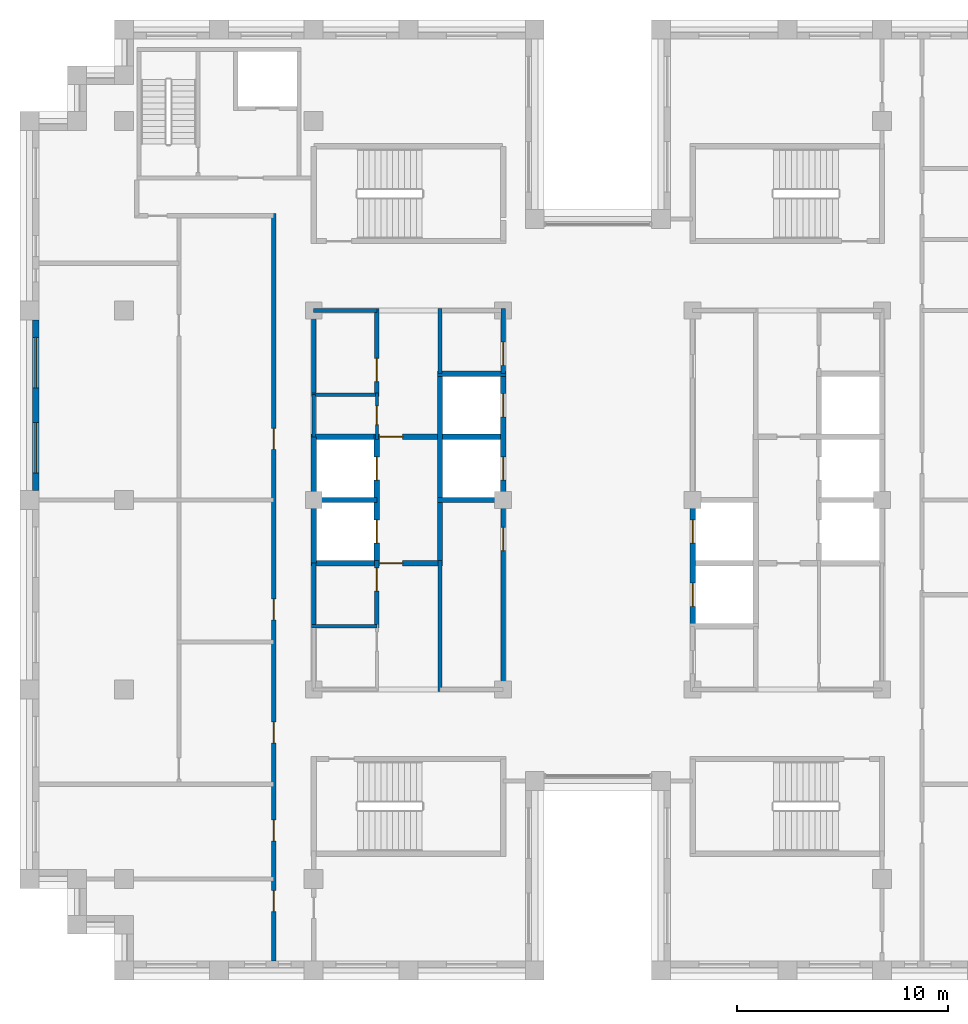
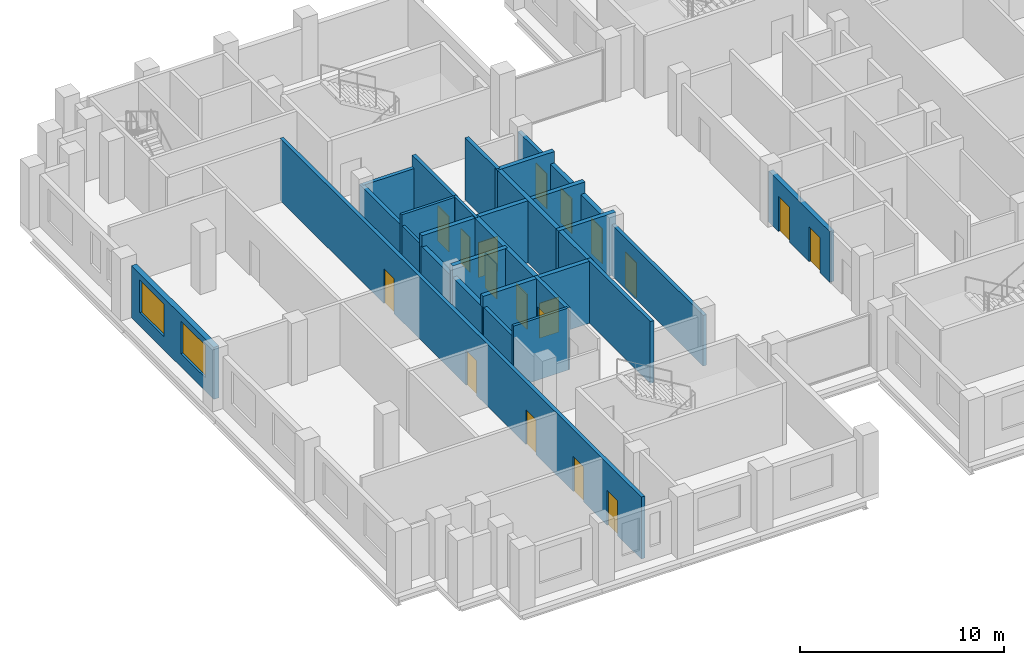
# One storey, part 7 of 13: 25 walls, 18 doors, 2 windows, 20 openings.
"""IFC4 building model written with IfcOpenShell, lengths in metres."""

from ifc_helpers import new_model, si_unit, direction, frame, frame_2d, origin, place, context, subcontext, project, spatial, rectangle, extrude, material, layer, layer_set, type_object, element, fill, save


model = new_model("IFC4")

# Units and contexts
model_context = context("Model", 3, precision=1e-05, world=origin(), true_north=direction((0.0, 1.0)))
body_context = subcontext(model_context, "Body", "Model", "MODEL_VIEW")
ifc_project = project(units=[si_unit("LENGTHUNIT", "METRE"), si_unit("AREAUNIT", "SQUARE_METRE"), si_unit("VOLUMEUNIT", "CUBIC_METRE"), si_unit("PLANEANGLEUNIT", "RADIAN"), si_unit("MASSUNIT", "GRAM", prefix="KILO")], contexts=[model_context])

# Site, building, storey
site_placement = place(None, origin())
site = spatial("IfcSite", under=ifc_project, at=site_placement, CompositionType="ELEMENT")
building_placement = place(site_placement, origin())
building = spatial("IfcBuilding", under=site, at=building_placement, Name="Corbelhall Arena Tower", CompositionType="ELEMENT")
storey_placement = place(building_placement, frame((0.0, 0.0, 262.0)))
storey = spatial("IfcBuildingStorey", under=building, at=storey_placement, Name="L56", CompositionType="ELEMENT", Elevation=262.0)

# Wall, openings, windows
ifc_material_1 = material(Name="Precast concrete C40/50 with granite facing", Category="masonry")
ifc_layer_1 = layer(ifc_material_1, 0.300048828125)
ifc_layer_set_1 = layer_set([ifc_layer_1], Name="EV-IW1 Infill panel 300")
wall_type_1 = type_object("IfcWallType", Name="EV-IW1 Infill panel 300", PredefinedType="SOLIDWALL", material=ifc_layer_set_1)
wall_1_placement = place(storey_placement, frame((-26.699951171875, 8.550048828125, 0.0), z_axis=(0.0, 0.0, 1.0), x_axis=(0.0, -1.0, 0.0)))
wall_1 = element("IfcWall", 1, at=wall_1_placement, inside=storey, type_object=wall_type_1, Name="Infill panel IW1", PredefinedType="SOLIDWALL", context=body_context, shape_type="SweptSolid", body=[
    extrude(rectangle(XDim=8.10009765625, YDim=0.300048828125, at=frame_2d((4.050048828125, 0.0))), origin(), (0.0, 0.0, 1.0), 3.1201171875),
])
opening_1_placement = place(wall_1_placement, frame((0.824951171875, 0.0, 0.800048828125)))
opening_1 = element("IfcOpeningElement", 2, at=opening_1_placement, cuts=wall_1, Name="Opening WN1", PredefinedType="OPENING", context=body_context, shape_type="SweptSolid", body=[
    extrude(rectangle(XDim=2.39990234375, YDim=1.949951171875, at=frame_2d((1.199951171875, 0.97509765625))), frame((0.0, 0.14990234375, 0.0), z_axis=(0.0, -1.0, 0.0), x_axis=(1.0, 0.0, 0.0)), (0.0, 0.0, 1.0), 0.300048828125),
])
opening_2_placement = place(wall_1_placement, frame((4.875, 0.0, 0.800048828125)))
opening_2 = element("IfcOpeningElement", 3, at=opening_2_placement, cuts=wall_1, Name="Opening WN1", PredefinedType="OPENING", context=body_context, shape_type="SweptSolid", body=[
    extrude(rectangle(XDim=2.39990234375, YDim=1.949951171875, at=frame_2d((1.199951171875, 0.97509765625))), frame((0.0, 0.14990234375, 0.0), z_axis=(0.0, -1.0, 0.0), x_axis=(1.0, 0.0, 0.0)), (0.0, 0.0, 1.0), 0.300048828125),
])
ifc_material_2 = material(Name="Aluminium black anodised", Category="aluminium")
window_type = type_object("IfcWindowType", Name="EV-WN1 Office window", PartitioningType="SINGLE_PANEL", PredefinedType="WINDOW", material=ifc_material_2)
window_1_placement = place(opening_1_placement, origin())
window_1 = element("IfcWindow", 4, at=window_1_placement, inside=storey, type_object=window_type, Name="Window WN1", OverallHeight=1.949951171875, OverallWidth=2.39990234375, PartitioningType="SINGLE_PANEL", PredefinedType="WINDOW", context=body_context, shape_type="SweptSolid", body=[
    extrude(rectangle(XDim=2.39990234375, YDim=1.949951171875, at=frame_2d((1.199951171875, 0.97509765625))), frame((0.0, 0.030029296875, 0.0), z_axis=(0.0, -1.0, 0.0), x_axis=(1.0, 0.0, 0.0)), (0.0, 0.0, 1.0), 0.06005859375),
])
fill(opening_1, window_1)
window_2_placement = place(opening_2_placement, origin())
window_2 = element("IfcWindow", 5, at=window_2_placement, inside=storey, type_object=window_type, Name="Window WN1", OverallHeight=1.949951171875, OverallWidth=2.39990234375, PartitioningType="SINGLE_PANEL", PredefinedType="WINDOW", context=body_context, shape_type="SweptSolid", body=[
    extrude(rectangle(XDim=2.39990234375, YDim=1.949951171875, at=frame_2d((1.199951171875, 0.97509765625))), frame((0.0, 0.030029296875, 0.0), z_axis=(0.0, -1.0, 0.0), x_axis=(1.0, 0.0, 0.0)), (0.0, 0.0, 1.0), 0.06005859375),
])
fill(opening_2, window_2)

# Wall, openings, doors
ifc_material_3 = material(Name="Gypsum board on steel stud, acoustic", Category="steel")
ifc_layer_2 = layer(ifc_material_3, 0.199951171875)
ifc_layer_set_2 = layer_set([ifc_layer_2], Name="IN-W-DM200")
wall_type_2 = type_object("IfcWallType", Name="IN-W-DM200", PredefinedType="PARTITIONING", material=ifc_layer_set_2)
wall_2_placement = place(storey_placement, frame((-15.39990234375, -21.89990234375, 0.0), z_axis=(0.0, 0.0, 1.0), x_axis=(0.0, 1.0, 0.0)))
wall_2 = element("IfcWall", 6, at=wall_2_placement, inside=storey, type_object=wall_type_2, Name="Partition 009", PredefinedType="PARTITIONING", context=body_context, shape_type="SweptSolid", body=[
    extrude(rectangle(XDim=35.5, YDim=0.199951171875, at=frame_2d((17.75, 0.0))), origin(), (0.0, 0.0, 1.0), 3.719970703125),
])
opening_3_placement = place(wall_2_placement, frame((24.300048828125, 0.0, 0.0)))
opening_3 = element("IfcOpeningElement", 7, at=opening_3_placement, cuts=wall_2, Name="Opening 17022", PredefinedType="OPENING", context=body_context, shape_type="SweptSolid", body=[
    extrude(rectangle(XDim=1.0, YDim=2.10009765625, at=frame_2d((0.5, 1.050048828125))), frame((0.0, 0.10009765625, 0.0), z_axis=(0.0, -1.0, 0.0), x_axis=(1.0, 0.0, 0.0)), (0.0, 0.0, 1.0), 0.199951171875),
])
opening_4_placement = place(wall_2_placement, frame((2.35009765625, 0.0, 0.0)))
opening_4 = element("IfcOpeningElement", 8, at=opening_4_placement, cuts=wall_2, Name="Opening 17024", PredefinedType="OPENING", context=body_context, shape_type="SweptSolid", body=[
    extrude(rectangle(XDim=1.0, YDim=2.10009765625, at=frame_2d((0.5, 1.050048828125))), frame((0.0, 0.10009765625, 0.0), z_axis=(0.0, -1.0, 0.0), x_axis=(1.0, 0.0, 0.0)), (0.0, 0.0, 1.0), 0.199951171875),
])
opening_5_placement = place(wall_2_placement, frame((5.699951171875, 0.0, 0.0)))
opening_5 = element("IfcOpeningElement", 9, at=opening_5_placement, cuts=wall_2, Name="Opening 17025", PredefinedType="OPENING", context=body_context, shape_type="SweptSolid", body=[
    extrude(rectangle(XDim=1.0, YDim=2.10009765625, at=frame_2d((0.5, 1.050048828125))), frame((0.0, 0.10009765625, 0.0), z_axis=(0.0, -1.0, 0.0), x_axis=(1.0, 0.0, 0.0)), (0.0, 0.0, 1.0), 0.199951171875),
])
opening_6_placement = place(wall_2_placement, frame((10.35009765625, 0.0, 0.0)))
opening_6 = element("IfcOpeningElement", 10, at=opening_6_placement, cuts=wall_2, Name="Opening 17026", PredefinedType="OPENING", context=body_context, shape_type="SweptSolid", body=[
    extrude(rectangle(XDim=1.0, YDim=2.10009765625, at=frame_2d((0.5, 1.050048828125))), frame((0.0, 0.10009765625, 0.0), z_axis=(0.0, -1.0, 0.0), x_axis=(1.0, 0.0, 0.0)), (0.0, 0.0, 1.0), 0.199951171875),
])
opening_7_placement = place(wall_2_placement, frame((16.199951171875, 0.0, 0.0)))
opening_7 = element("IfcOpeningElement", 11, at=opening_7_placement, cuts=wall_2, Name="Opening 17027", PredefinedType="OPENING", context=body_context, shape_type="SweptSolid", body=[
    extrude(rectangle(XDim=1.0, YDim=2.10009765625, at=frame_2d((0.5, 1.050048828125))), frame((0.0, 0.10009765625, 0.0), z_axis=(0.0, -1.0, 0.0), x_axis=(1.0, 0.0, 0.0)), (0.0, 0.0, 1.0), 0.199951171875),
])
ifc_material_4 = material(Name="Steel door set", Category="steel")
door_type_1 = type_object("IfcDoorType", Name="IN-D-SW100", OperationType="NOTDEFINED", PredefinedType="DOOR", material=ifc_material_4)
door_1_placement = place(opening_3_placement, origin())
door_1 = element("IfcDoor", 12, at=door_1_placement, inside=storey, type_object=door_type_1, Name="Door 022", OperationType="SINGLE_SWING_LEFT", OverallHeight=2.10009765625, OverallWidth=1.0, PredefinedType="DOOR", context=body_context, shape_type="SweptSolid", body=[
    extrude(rectangle(XDim=1.0, YDim=2.10009765625, at=frame_2d((0.5, 1.050048828125))), frame((0.0, 0.02490234375, 0.0), z_axis=(0.0, -1.0, 0.0), x_axis=(1.0, 0.0, 0.0)), (0.0, 0.0, 1.0), 0.050048828125),
])
fill(opening_3, door_1)
door_2_placement = place(opening_4_placement, origin())
door_2 = element("IfcDoor", 13, at=door_2_placement, inside=storey, type_object=door_type_1, Name="Door 024", OperationType="SINGLE_SWING_LEFT", OverallHeight=2.10009765625, OverallWidth=1.0, PredefinedType="DOOR", context=body_context, shape_type="SweptSolid", body=[
    extrude(rectangle(XDim=1.0, YDim=2.10009765625, at=frame_2d((0.5, 1.050048828125))), frame((0.0, 0.02490234375, 0.0), z_axis=(0.0, -1.0, 0.0), x_axis=(1.0, 0.0, 0.0)), (0.0, 0.0, 1.0), 0.050048828125),
])
fill(opening_4, door_2)
door_3_placement = place(opening_5_placement, origin())
door_3 = element("IfcDoor", 14, at=door_3_placement, inside=storey, type_object=door_type_1, Name="Door 025", OperationType="SINGLE_SWING_RIGHT", OverallHeight=2.10009765625, OverallWidth=1.0, PredefinedType="DOOR", context=body_context, shape_type="SweptSolid", body=[
    extrude(rectangle(XDim=1.0, YDim=2.10009765625, at=frame_2d((0.5, 1.050048828125))), frame((0.0, 0.02490234375, 0.0), z_axis=(0.0, -1.0, 0.0), x_axis=(1.0, 0.0, 0.0)), (0.0, 0.0, 1.0), 0.050048828125),
])
fill(opening_5, door_3)
door_4_placement = place(opening_6_placement, origin())
door_4 = element("IfcDoor", 15, at=door_4_placement, inside=storey, type_object=door_type_1, Name="Door 026", OperationType="SINGLE_SWING_LEFT", OverallHeight=2.10009765625, OverallWidth=1.0, PredefinedType="DOOR", context=body_context, shape_type="SweptSolid", body=[
    extrude(rectangle(XDim=1.0, YDim=2.10009765625, at=frame_2d((0.5, 1.050048828125))), frame((0.0, 0.02490234375, 0.0), z_axis=(0.0, -1.0, 0.0), x_axis=(1.0, 0.0, 0.0)), (0.0, 0.0, 1.0), 0.050048828125),
])
fill(opening_6, door_4)
door_5_placement = place(opening_7_placement, origin())
door_5 = element("IfcDoor", 16, at=door_5_placement, inside=storey, type_object=door_type_1, Name="Door 027", OperationType="SINGLE_SWING_RIGHT", OverallHeight=2.10009765625, OverallWidth=1.0, PredefinedType="DOOR", context=body_context, shape_type="SweptSolid", body=[
    extrude(rectangle(XDim=1.0, YDim=2.10009765625, at=frame_2d((0.5, 1.050048828125))), frame((0.0, 0.02490234375, 0.0), z_axis=(0.0, -1.0, 0.0), x_axis=(1.0, 0.0, 0.0)), (0.0, 0.0, 1.0), 0.050048828125),
])
fill(opening_7, door_5)

# Wall, opening, door
ifc_material_5 = material(Name="Concrete block wall", Category="concrete")
ifc_layer_3 = layer(ifc_material_5, 0.199951171875)
ifc_layer_set_3 = layer_set([ifc_layer_3], Name="IN-W-RS200")
wall_type_3 = type_object("IfcWallType", Name="IN-W-RS200", PredefinedType="SOLIDWALL", material=ifc_layer_set_3)
wall_3_placement = place(storey_placement, frame((-10.5, -6.074951171875, 0.0), z_axis=(0.0, 0.0, 1.0), x_axis=(0.0, 1.0, 0.0)))
wall_3 = element("IfcWall", 17, at=wall_3_placement, inside=storey, type_object=wall_type_3, Name="Partition 028", PredefinedType="SOLIDWALL", context=body_context, shape_type="SweptSolid", body=[
    extrude(rectangle(XDim=3.199951171875, YDim=0.199951171875, at=frame_2d((1.60009765625, 0.0))), origin(), (0.0, 0.0, 1.0), 3.719970703125),
])
opening_8_placement = place(wall_3_placement, frame((1.75, 0.0, 0.0)))
opening_8 = element("IfcOpeningElement", 18, at=opening_8_placement, cuts=wall_3, Name="Opening 17006", PredefinedType="OPENING", context=body_context, shape_type="SweptSolid", body=[
    extrude(rectangle(XDim=1.10009765625, YDim=2.10009765625, at=frame_2d((0.550048828125, 1.050048828125))), frame((0.0, 0.10009765625, 0.0), z_axis=(0.0, -1.0, 0.0), x_axis=(1.0, 0.0, 0.0)), (0.0, 0.0, 1.0), 0.199951171875),
])
door_type_2 = type_object("IfcDoorType", Name="IN-D-FD110", OperationType="NOTDEFINED", PredefinedType="DOOR", material=ifc_material_4)
door_6_placement = place(opening_8_placement, origin())
door_6 = element("IfcDoor", 19, at=door_6_placement, inside=storey, type_object=door_type_2, Name="Door 006", OperationType="SINGLE_SWING_LEFT", OverallHeight=2.10009765625, OverallWidth=1.10009765625, PredefinedType="DOOR", context=body_context, shape_type="SweptSolid", body=[
    extrude(rectangle(XDim=1.10009765625, YDim=2.10009765625, at=frame_2d((0.550048828125, 1.050048828125))), frame((0.0, 0.02490234375, 0.0), z_axis=(0.0, -1.0, 0.0), x_axis=(1.0, 0.0, 0.0)), (0.0, 0.0, 1.0), 0.050048828125),
])
fill(opening_8, door_6)

wall_4_placement = place(storey_placement, frame((-10.5, 4.925048828125, 0.0), z_axis=(0.0, 0.0, 1.0), x_axis=(0.0, 1.0, 0.0)))
wall_4 = element("IfcWall", 20, at=wall_4_placement, inside=storey, type_object=wall_type_3, Name="Partition 029", PredefinedType="SOLIDWALL", context=body_context, shape_type="SweptSolid", body=[
    extrude(rectangle(XDim=4.175048828125, YDim=0.199951171875, at=frame_2d((2.08740234375, 0.0))), origin(), (0.0, 0.0, 1.0), 3.719970703125),
])
opening_9_placement = place(wall_4_placement, frame((0.699951171875, 0.0, 0.0)))
opening_9 = element("IfcOpeningElement", 21, at=opening_9_placement, cuts=wall_4, Name="Opening 17008", PredefinedType="OPENING", context=body_context, shape_type="SweptSolid", body=[
    extrude(rectangle(XDim=1.10009765625, YDim=2.10009765625, at=frame_2d((0.550048828125, 1.050048828125))), frame((0.0, 0.10009765625, 0.0), z_axis=(0.0, -1.0, 0.0), x_axis=(1.0, 0.0, 0.0)), (0.0, 0.0, 1.0), 0.199951171875),
])
door_7_placement = place(opening_9_placement, origin())
door_7 = element("IfcDoor", 22, at=door_7_placement, inside=storey, type_object=door_type_2, Name="Door 008", OperationType="SINGLE_SWING_LEFT", OverallHeight=2.10009765625, OverallWidth=1.10009765625, PredefinedType="DOOR", context=body_context, shape_type="SweptSolid", body=[
    extrude(rectangle(XDim=1.10009765625, YDim=2.10009765625, at=frame_2d((0.550048828125, 1.050048828125))), frame((0.0, 0.02490234375, 0.0), z_axis=(0.0, -1.0, 0.0), x_axis=(1.0, 0.0, 0.0)), (0.0, 0.0, 1.0), 0.050048828125),
])
fill(opening_9, door_7)

# Walls
wall_5_placement = place(storey_placement, frame((-7.5, -9.10009765625, 0.0), z_axis=(0.0, 0.0, 1.0), x_axis=(0.0, 1.0, 0.0)))
element("IfcWall", 23, at=wall_5_placement, inside=storey, type_object=wall_type_3, Name="Partition 030", PredefinedType="SOLIDWALL", context=body_context, shape_type="SweptSolid", body=[
    extrude(rectangle(XDim=6.22509765625, YDim=0.199951171875, at=frame_2d((3.112548828125, 0.0))), origin(), (0.0, 0.0, 1.0), 3.719970703125),
])
wall_6_placement = place(storey_placement, frame((-7.5, 6.0, 0.0), z_axis=(0.0, 0.0, 1.0), x_axis=(0.0, 1.0, 0.0)))
element("IfcWall", 24, at=wall_6_placement, inside=storey, type_object=wall_type_3, Name="Partition 031", PredefinedType="SOLIDWALL", context=body_context, shape_type="SweptSolid", body=[
    extrude(rectangle(XDim=3.10009765625, YDim=0.199951171875, at=frame_2d((1.550048828125, 0.0))), origin(), (0.0, 0.0, 1.0), 3.719970703125),
])
ifc_layer_4 = layer(ifc_material_5, 0.199951171875)
ifc_layer_set_4 = layer_set([ifc_layer_4], Name="IN-W-RS200 under beam 678 mm")
wall_type_4 = type_object("IfcWallType", Name="IN-W-RS200 under beam 678 mm", PredefinedType="SOLIDWALL", material=ifc_layer_set_4)
wall_7_placement = place(storey_placement, frame((-13.5, -6.0, 0.0), z_axis=(0.0, 0.0, 1.0), x_axis=(0.0, 1.0, 0.0)))
element("IfcWall", 25, at=wall_7_placement, inside=storey, type_object=wall_type_4, Name="Partition 025", PredefinedType="SOLIDWALL", context=body_context, shape_type="SweptSolid", body=[
    extrude(rectangle(XDim=3.0, YDim=0.199951171875, at=frame_2d((1.5, 0.0))), origin(), (0.0, 0.0, 1.0), 3.041748046875),
])
wall_8_placement = place(storey_placement, frame((-13.5, 5.0, 0.0), z_axis=(0.0, 0.0, 1.0), x_axis=(0.0, 1.0, 0.0)))
element("IfcWall", 26, at=wall_8_placement, inside=storey, type_object=wall_type_4, Name="Partition 026", PredefinedType="SOLIDWALL", context=body_context, shape_type="SweptSolid", body=[
    extrude(rectangle(XDim=4.10009765625, YDim=0.199951171875, at=frame_2d((2.050048828125, 0.0))), origin(), (0.0, 0.0, 1.0), 3.041748046875),
])
wall_9_placement = place(storey_placement, frame((-13.5, 9.0, 0.0), z_axis=(0.0, 0.0, 1.0), x_axis=(1.0, 0.0, 0.0)))
element("IfcWall", 27, at=wall_9_placement, inside=storey, type_object=wall_type_4, Name="Partition 027", PredefinedType="SOLIDWALL", context=body_context, shape_type="SweptSolid", body=[
    extrude(rectangle(XDim=3.0, YDim=0.199951171875, at=frame_2d((1.5, 0.0))), origin(), (0.0, 0.0, 1.0), 3.041748046875),
])

# Wall, opening, door
wall_10_placement = place(storey_placement, frame((-4.5, 0.0, 0.0), z_axis=(0.0, 0.0, 1.0), x_axis=(0.0, -1.0, 0.0)))
wall_10 = element("IfcWall", 28, at=wall_10_placement, inside=storey, type_object=wall_type_4, Name="Partition 034", PredefinedType="SOLIDWALL", context=body_context, shape_type="SweptSolid", body=[
    extrude(rectangle(XDim=9.10009765625, YDim=0.199951171875, at=frame_2d((4.550048828125, 0.0))), origin(), (0.0, 0.0, 1.0), 3.041748046875),
])
opening_10_placement = place(wall_10_placement, frame((1.300048828125, 0.0, 0.0)))
opening_10 = element("IfcOpeningElement", 29, at=opening_10_placement, cuts=wall_10, Name="Opening 17001", PredefinedType="OPENING", context=body_context, shape_type="SweptSolid", body=[
    extrude(rectangle(XDim=1.10009765625, YDim=2.10009765625, at=frame_2d((0.550048828125, 1.050048828125))), frame((0.0, 0.10009765625, 0.0), z_axis=(0.0, -1.0, 0.0), x_axis=(1.0, 0.0, 0.0)), (0.0, 0.0, 1.0), 0.199951171875),
])
door_8_placement = place(opening_10_placement, origin())
door_8 = element("IfcDoor", 30, at=door_8_placement, inside=storey, type_object=door_type_2, Name="Door 001", OperationType="SINGLE_SWING_RIGHT", OverallHeight=2.10009765625, OverallWidth=1.10009765625, PredefinedType="DOOR", context=body_context, shape_type="SweptSolid", body=[
    extrude(rectangle(XDim=1.10009765625, YDim=2.10009765625, at=frame_2d((0.550048828125, 1.050048828125))), frame((0.0, 0.02490234375, 0.0), z_axis=(0.0, -1.0, 0.0), x_axis=(1.0, 0.0, 0.0)), (0.0, 0.0, 1.0), 0.050048828125),
])
fill(opening_10, door_8)

wall_11_placement = place(storey_placement, frame((-4.5, 9.10009765625, 0.0), z_axis=(0.0, 0.0, 1.0), x_axis=(0.0, -1.0, 0.0)))
wall_11 = element("IfcWall", 31, at=wall_11_placement, inside=storey, type_object=wall_type_4, Name="Partition 035", PredefinedType="SOLIDWALL", context=body_context, shape_type="SweptSolid", body=[
    extrude(rectangle(XDim=3.10009765625, YDim=0.199951171875, at=frame_2d((1.550048828125, 0.0))), origin(), (0.0, 0.0, 1.0), 3.041748046875),
])
opening_11_placement = place(wall_11_placement, frame((1.60009765625, 0.0, 0.0)))
opening_11 = element("IfcOpeningElement", 32, at=opening_11_placement, cuts=wall_11, Name="Opening 17002", PredefinedType="OPENING", context=body_context, shape_type="SweptSolid", body=[
    extrude(rectangle(XDim=1.10009765625, YDim=2.10009765625, at=frame_2d((0.550048828125, 1.050048828125))), frame((0.0, 0.10009765625, 0.0), z_axis=(0.0, -1.0, 0.0), x_axis=(1.0, 0.0, 0.0)), (0.0, 0.0, 1.0), 0.199951171875),
])
door_9_placement = place(opening_11_placement, origin())
door_9 = element("IfcDoor", 33, at=door_9_placement, inside=storey, type_object=door_type_2, Name="Door 002", OperationType="SINGLE_SWING_LEFT", OverallHeight=2.10009765625, OverallWidth=1.10009765625, PredefinedType="DOOR", context=body_context, shape_type="SweptSolid", body=[
    extrude(rectangle(XDim=1.10009765625, YDim=2.10009765625, at=frame_2d((0.550048828125, 1.050048828125))), frame((0.0, 0.02490234375, 0.0), z_axis=(0.0, -1.0, 0.0), x_axis=(1.0, 0.0, 0.0)), (0.0, 0.0, 1.0), 0.050048828125),
])
fill(opening_11, door_9)

# Wall
ifc_material_6 = material(Name="Concrete C40/50", Category="concrete")
ifc_layer_5 = layer(ifc_material_6, 0.25)
ifc_layer_set_5 = layer_set([ifc_layer_5], Name="IN-W-SH250")
wall_type_5 = type_object("IfcWallType", Name="IN-W-SH250", PredefinedType="SOLIDWALL", material=ifc_layer_set_5)
wall_12_placement = place(storey_placement, frame((-13.625, 0.0, 0.0), z_axis=(0.0, 0.0, 1.0), x_axis=(1.0, 0.0, 0.0)))
element("IfcWall", 34, at=wall_12_placement, inside=storey, type_object=wall_type_5, Name="Shaft wall 045", PredefinedType="SOLIDWALL", context=body_context, shape_type="SweptSolid", body=[
    extrude(rectangle(XDim=3.125, YDim=0.25, at=frame_2d((1.5625, 0.0))), origin(), (0.0, 0.0, 1.0), 3.719970703125),
])

# Wall, opening, door
wall_13_placement = place(storey_placement, frame((-13.625, 3.0, 0.0), z_axis=(0.0, 0.0, 1.0), x_axis=(1.0, 0.0, 0.0)))
wall_13 = element("IfcWall", 35, at=wall_13_placement, inside=storey, type_object=wall_type_5, Name="Shaft wall 046", PredefinedType="SOLIDWALL", context=body_context, shape_type="SweptSolid", body=[
    extrude(rectangle(XDim=9.25, YDim=0.25, at=frame_2d((4.625, 0.0))), origin(), (0.0, 0.0, 1.0), 3.719970703125),
])
opening_12_placement = place(wall_13_placement, frame((3.25, 0.0, 0.0)))
opening_12 = element("IfcOpeningElement", 36, at=opening_12_placement, cuts=wall_13, Name="Opening 17004", PredefinedType="OPENING", context=body_context, shape_type="SweptSolid", body=[
    extrude(rectangle(XDim=1.10009765625, YDim=2.10009765625, at=frame_2d((0.550048828125, 1.050048828125))), frame((0.0, 0.125, 0.0), z_axis=(0.0, -1.0, 0.0), x_axis=(1.0, 0.0, 0.0)), (0.0, 0.0, 1.0), 0.25),
])
door_10_placement = place(opening_12_placement, origin())
door_10 = element("IfcDoor", 37, at=door_10_placement, inside=storey, type_object=door_type_2, Name="Door 004", OperationType="SINGLE_SWING_LEFT", OverallHeight=2.10009765625, OverallWidth=1.10009765625, PredefinedType="DOOR", context=body_context, shape_type="SweptSolid", body=[
    extrude(rectangle(XDim=1.10009765625, YDim=2.10009765625, at=frame_2d((0.550048828125, 1.050048828125))), frame((0.0, 0.02490234375, 0.0), z_axis=(0.0, -1.0, 0.0), x_axis=(1.0, 0.0, 0.0)), (0.0, 0.0, 1.0), 0.050048828125),
])
fill(opening_12, door_10)

wall_14_placement = place(storey_placement, frame((-13.625, -3.0, 0.0), z_axis=(0.0, 0.0, 1.0), x_axis=(1.0, 0.0, 0.0)))
wall_14 = element("IfcWall", 38, at=wall_14_placement, inside=storey, type_object=wall_type_5, Name="Shaft wall 048", PredefinedType="SOLIDWALL", context=body_context, shape_type="SweptSolid", body=[
    extrude(rectangle(XDim=6.125, YDim=0.25, at=frame_2d((3.0625, 0.0))), origin(), (0.0, 0.0, 1.0), 3.719970703125),
])
opening_13_placement = place(wall_14_placement, frame((3.25, 0.0, 0.0)))
opening_13 = element("IfcOpeningElement", 39, at=opening_13_placement, cuts=wall_14, Name="Opening 17003", PredefinedType="OPENING", context=body_context, shape_type="SweptSolid", body=[
    extrude(rectangle(XDim=1.10009765625, YDim=2.10009765625, at=frame_2d((0.550048828125, 1.050048828125))), frame((0.0, 0.125, 0.0), z_axis=(0.0, -1.0, 0.0), x_axis=(1.0, 0.0, 0.0)), (0.0, 0.0, 1.0), 0.25),
])
door_11_placement = place(opening_13_placement, origin())
door_11 = element("IfcDoor", 40, at=door_11_placement, inside=storey, type_object=door_type_2, Name="Door 003", OperationType="SINGLE_SWING_RIGHT", OverallHeight=2.10009765625, OverallWidth=1.10009765625, PredefinedType="DOOR", context=body_context, shape_type="SweptSolid", body=[
    extrude(rectangle(XDim=1.10009765625, YDim=2.10009765625, at=frame_2d((0.550048828125, 1.050048828125))), frame((0.0, 0.02490234375, 0.0), z_axis=(0.0, -1.0, 0.0), x_axis=(1.0, 0.0, 0.0)), (0.0, 0.0, 1.0), 0.050048828125),
])
fill(opening_13, door_11)

# Wall, openings, doors
wall_15_placement = place(storey_placement, frame((-10.5, -3.125, 0.0), z_axis=(0.0, 0.0, 1.0), x_axis=(0.0, 1.0, 0.0)))
wall_15 = element("IfcWall", 41, at=wall_15_placement, inside=storey, type_object=wall_type_5, Name="Shaft wall 049", PredefinedType="SOLIDWALL", context=body_context, shape_type="SweptSolid", body=[
    extrude(rectangle(XDim=6.25, YDim=0.25, at=frame_2d((3.125, 0.0))), origin(), (0.0, 0.0, 1.0), 3.719970703125),
])
opening_14_placement = place(wall_15_placement, frame((1.074951171875, 0.0, 0.0)))
opening_14 = element("IfcOpeningElement", 42, at=opening_14_placement, cuts=wall_15, Name="Opening LD", PredefinedType="OPENING", context=body_context, shape_type="SweptSolid", body=[
    extrude(rectangle(XDim=1.10009765625, YDim=2.10009765625, at=frame_2d((0.550048828125, 1.050048828125))), frame((0.0, 0.125, 0.0), z_axis=(0.0, -1.0, 0.0), x_axis=(1.0, 0.0, 0.0)), (0.0, 0.0, 1.0), 0.25),
])
opening_15_placement = place(wall_15_placement, frame((4.074951171875, 0.0, 0.0)))
opening_15 = element("IfcOpeningElement", 43, at=opening_15_placement, cuts=wall_15, Name="Opening LD", PredefinedType="OPENING", context=body_context, shape_type="SweptSolid", body=[
    extrude(rectangle(XDim=1.10009765625, YDim=2.10009765625, at=frame_2d((0.550048828125, 1.050048828125))), frame((0.0, 0.125, 0.0), z_axis=(0.0, -1.0, 0.0), x_axis=(1.0, 0.0, 0.0)), (0.0, 0.0, 1.0), 0.25),
])
door_type_3 = type_object("IfcDoorType", Name="IN-D-LD110", OperationType="NOTDEFINED", PredefinedType="DOOR", material=ifc_material_4)
door_12_placement = place(opening_14_placement, origin())
door_12 = element("IfcDoor", 44, at=door_12_placement, inside=storey, type_object=door_type_3, Name="Landing door W3", OperationType="SLIDING_TO_LEFT", OverallHeight=2.10009765625, OverallWidth=1.10009765625, PredefinedType="DOOR", context=body_context, shape_type="SweptSolid", body=[
    extrude(rectangle(XDim=1.10009765625, YDim=2.10009765625, at=frame_2d((0.550048828125, 1.050048828125))), frame((0.0, 0.02490234375, 0.0), z_axis=(0.0, -1.0, 0.0), x_axis=(1.0, 0.0, 0.0)), (0.0, 0.0, 1.0), 0.050048828125),
])
fill(opening_14, door_12)
door_13_placement = place(opening_15_placement, origin())
door_13 = element("IfcDoor", 45, at=door_13_placement, inside=storey, type_object=door_type_3, Name="Landing door W4", OperationType="SLIDING_TO_LEFT", OverallHeight=2.10009765625, OverallWidth=1.10009765625, PredefinedType="DOOR", context=body_context, shape_type="SweptSolid", body=[
    extrude(rectangle(XDim=1.10009765625, YDim=2.10009765625, at=frame_2d((0.550048828125, 1.050048828125))), frame((0.0, 0.02490234375, 0.0), z_axis=(0.0, -1.0, 0.0), x_axis=(1.0, 0.0, 0.0)), (0.0, 0.0, 1.0), 0.050048828125),
])
fill(opening_15, door_13)

# Walls
for number, where, z_axis, x_axis, name in (
    (46, (-7.625, 0.0, 0.0), (0.0, 0.0, 1.0), (1.0, 0.0, 0.0), "Shaft wall 050"),
    (47, (-7.625, 6.0, 0.0), (0.0, 0.0, 1.0), (1.0, 0.0, 0.0), "Shaft wall 051"),
):
    element("IfcWall", number, at=place(storey_placement, frame(where, z_axis=z_axis, x_axis=x_axis)), inside=storey, type_object=wall_type_5, Name=name, PredefinedType="SOLIDWALL", context=body_context, shape_type="SweptSolid", body=[
        extrude(rectangle(XDim=3.25, YDim=0.25, at=frame_2d((1.625, 0.0))), origin(), (0.0, 0.0, 1.0), 3.719970703125),
    ])
wall_16_placement = place(storey_placement, frame((-7.5, -3.125, 0.0), z_axis=(0.0, 0.0, 1.0), x_axis=(0.0, 1.0, 0.0)))
element("IfcWall", 48, at=wall_16_placement, inside=storey, type_object=wall_type_5, Name="Shaft wall 052", PredefinedType="SOLIDWALL", context=body_context, shape_type="SweptSolid", body=[
    extrude(rectangle(XDim=9.125, YDim=0.25, at=frame_2d((4.5625, 0.0))), origin(), (0.0, 0.0, 1.0), 3.719970703125),
])
ifc_layer_6 = layer(ifc_material_6, 0.25)
ifc_layer_set_6 = layer_set([ifc_layer_6], Name="IN-W-SH250 under beam 678 mm")
wall_type_6 = type_object("IfcWallType", Name="IN-W-SH250 under beam 678 mm", PredefinedType="SOLIDWALL", material=ifc_layer_set_6)
wall_17_placement = place(storey_placement, frame((-13.5, -3.0, 0.0), z_axis=(0.0, 0.0, 1.0), x_axis=(0.0, 1.0, 0.0)))
element("IfcWall", 49, at=wall_17_placement, inside=storey, type_object=wall_type_6, Name="Shaft wall 047", PredefinedType="SOLIDWALL", context=body_context, shape_type="SweptSolid", body=[
    extrude(rectangle(XDim=6.0, YDim=0.25, at=frame_2d((3.0, 0.0))), origin(), (0.0, 0.0, 1.0), 3.041748046875),
])

# Wall, openings, doors
wall_18_placement = place(storey_placement, frame((-4.5, 6.0, 0.0), z_axis=(0.0, 0.0, 1.0), x_axis=(0.0, -1.0, 0.0)))
wall_18 = element("IfcWall", 50, at=wall_18_placement, inside=storey, type_object=wall_type_6, Name="Shaft wall 053", PredefinedType="SOLIDWALL", context=body_context, shape_type="SweptSolid", body=[
    extrude(rectangle(XDim=6.0, YDim=0.25, at=frame_2d((3.0, 0.0))), origin(), (0.0, 0.0, 1.0), 3.041748046875),
])
opening_16_placement = place(wall_18_placement, frame((3.949951171875, 0.0, 0.0)))
opening_16 = element("IfcOpeningElement", 51, at=opening_16_placement, cuts=wall_18, Name="Opening LD", PredefinedType="OPENING", context=body_context, shape_type="SweptSolid", body=[
    extrude(rectangle(XDim=1.10009765625, YDim=2.10009765625, at=frame_2d((0.550048828125, 1.050048828125))), frame((0.0, 0.125, 0.0), z_axis=(0.0, -1.0, 0.0), x_axis=(1.0, 0.0, 0.0)), (0.0, 0.0, 1.0), 0.25),
])
opening_17_placement = place(wall_18_placement, frame((0.949951171875, 0.0, 0.0)))
opening_17 = element("IfcOpeningElement", 52, at=opening_17_placement, cuts=wall_18, Name="Opening LD", PredefinedType="OPENING", context=body_context, shape_type="SweptSolid", body=[
    extrude(rectangle(XDim=1.10009765625, YDim=2.10009765625, at=frame_2d((0.550048828125, 1.050048828125))), frame((0.0, 0.125, 0.0), z_axis=(0.0, -1.0, 0.0), x_axis=(1.0, 0.0, 0.0)), (0.0, 0.0, 1.0), 0.25),
])
door_14_placement = place(opening_16_placement, origin())
door_14 = element("IfcDoor", 53, at=door_14_placement, inside=storey, type_object=door_type_3, Name="Landing door W4", OperationType="SLIDING_TO_LEFT", OverallHeight=2.10009765625, OverallWidth=1.10009765625, PredefinedType="DOOR", context=body_context, shape_type="SweptSolid", body=[
    extrude(rectangle(XDim=1.10009765625, YDim=2.10009765625, at=frame_2d((0.550048828125, 1.050048828125))), frame((0.0, 0.02490234375, 0.0), z_axis=(0.0, -1.0, 0.0), x_axis=(1.0, 0.0, 0.0)), (0.0, 0.0, 1.0), 0.050048828125),
])
fill(opening_16, door_14)
door_15_placement = place(opening_17_placement, origin())
door_15 = element("IfcDoor", 54, at=door_15_placement, inside=storey, type_object=door_type_3, Name="Landing door W5", OperationType="SLIDING_TO_LEFT", OverallHeight=2.10009765625, OverallWidth=1.10009765625, PredefinedType="DOOR", context=body_context, shape_type="SweptSolid", body=[
    extrude(rectangle(XDim=1.10009765625, YDim=2.10009765625, at=frame_2d((0.550048828125, 1.050048828125))), frame((0.0, 0.02490234375, 0.0), z_axis=(0.0, -1.0, 0.0), x_axis=(1.0, 0.0, 0.0)), (0.0, 0.0, 1.0), 0.050048828125),
])
fill(opening_17, door_15)

wall_19_placement = place(storey_placement, frame((4.5, -6.0, 0.0), z_axis=(0.0, 0.0, 1.0), x_axis=(0.0, 1.0, 0.0)))
wall_19 = element("IfcWall", 55, at=wall_19_placement, inside=storey, type_object=wall_type_6, Name="Shaft wall 057", PredefinedType="SOLIDWALL", context=body_context, shape_type="SweptSolid", body=[
    extrude(rectangle(XDim=6.0, YDim=0.25, at=frame_2d((3.0, 0.0))), origin(), (0.0, 0.0, 1.0), 3.041748046875),
])
opening_18_placement = place(wall_19_placement, frame((0.949951171875, 0.0, 0.0)))
opening_18 = element("IfcOpeningElement", 56, at=opening_18_placement, cuts=wall_19, Name="Opening LD", PredefinedType="OPENING", context=body_context, shape_type="SweptSolid", body=[
    extrude(rectangle(XDim=1.10009765625, YDim=2.10009765625, at=frame_2d((0.550048828125, 1.050048828125))), frame((0.0, 0.125, 0.0), z_axis=(0.0, -1.0, 0.0), x_axis=(1.0, 0.0, 0.0)), (0.0, 0.0, 1.0), 0.25),
])
opening_19_placement = place(wall_19_placement, frame((3.949951171875, 0.0, 0.0)))
opening_19 = element("IfcOpeningElement", 57, at=opening_19_placement, cuts=wall_19, Name="Opening LD", PredefinedType="OPENING", context=body_context, shape_type="SweptSolid", body=[
    extrude(rectangle(XDim=1.10009765625, YDim=2.10009765625, at=frame_2d((0.550048828125, 1.050048828125))), frame((0.0, 0.125, 0.0), z_axis=(0.0, -1.0, 0.0), x_axis=(1.0, 0.0, 0.0)), (0.0, 0.0, 1.0), 0.25),
])
door_16_placement = place(opening_18_placement, origin())
door_16 = element("IfcDoor", 58, at=door_16_placement, inside=storey, type_object=door_type_3, Name="Landing door E2", OperationType="SLIDING_TO_LEFT", OverallHeight=2.10009765625, OverallWidth=1.10009765625, PredefinedType="DOOR", context=body_context, shape_type="SweptSolid", body=[
    extrude(rectangle(XDim=1.10009765625, YDim=2.10009765625, at=frame_2d((0.550048828125, 1.050048828125))), frame((0.0, 0.02490234375, 0.0), z_axis=(0.0, -1.0, 0.0), x_axis=(1.0, 0.0, 0.0)), (0.0, 0.0, 1.0), 0.050048828125),
])
fill(opening_18, door_16)
door_17_placement = place(opening_19_placement, origin())
door_17 = element("IfcDoor", 59, at=door_17_placement, inside=storey, type_object=door_type_3, Name="Landing door E3", OperationType="SLIDING_TO_LEFT", OverallHeight=2.10009765625, OverallWidth=1.10009765625, PredefinedType="DOOR", context=body_context, shape_type="SweptSolid", body=[
    extrude(rectangle(XDim=1.10009765625, YDim=2.10009765625, at=frame_2d((0.550048828125, 1.050048828125))), frame((0.0, 0.02490234375, 0.0), z_axis=(0.0, -1.0, 0.0), x_axis=(1.0, 0.0, 0.0)), (0.0, 0.0, 1.0), 0.050048828125),
])
fill(opening_19, door_17)

# Walls
ifc_material_7 = material(Name="Gypsum board on steel stud, moisture resistant", Category="steel")
ifc_layer_7 = layer(ifc_material_7, 0.14990234375)
ifc_layer_set_7 = layer_set([ifc_layer_7], Name="IN-W-WC150")
wall_type_7 = type_object("IfcWallType", Name="IN-W-WC150", PredefinedType="PARTITIONING", material=ifc_layer_set_7)
for number, where, z_axis, x_axis, name in (
    (60, (-13.60009765625, -6.0, 0.0), (0.0, 0.0, 1.0), (1.0, 0.0, 0.0), "Partition 081"),
    (61, (-13.60009765625, 5.0, 0.0), (0.0, 0.0, 1.0), (1.0, 0.0, 0.0), "Partition 082"),
):
    element("IfcWall", number, at=place(storey_placement, frame(where, z_axis=z_axis, x_axis=x_axis)), inside=storey, type_object=wall_type_7, Name=name, PredefinedType="PARTITIONING", context=body_context, shape_type="SweptSolid", body=[
        extrude(rectangle(XDim=3.10009765625, YDim=0.14990234375, at=frame_2d((1.550048828125, 0.0))), origin(), (0.0, 0.0, 1.0), 3.719970703125),
    ])

# Wall, opening, door
wall_20_placement = place(storey_placement, frame((-10.5, 2.875, 0.0), z_axis=(0.0, 0.0, 1.0), x_axis=(0.0, 1.0, 0.0)))
wall_20 = element("IfcWall", 62, at=wall_20_placement, inside=storey, type_object=wall_type_7, Name="Partition 087", PredefinedType="PARTITIONING", context=body_context, shape_type="SweptSolid", body=[
    extrude(rectangle(XDim=2.199951171875, YDim=0.14990234375, at=frame_2d((1.10009765625, 0.0))), origin(), (0.0, 0.0, 1.0), 3.719970703125),
])
opening_20_placement = place(wall_20_placement, frame((0.699951171875, 0.0, 0.0)))
opening_20 = element("IfcOpeningElement", 63, at=opening_20_placement, cuts=wall_20, Name="Opening 17007", PredefinedType="OPENING", context=body_context, shape_type="SweptSolid", body=[
    extrude(rectangle(XDim=0.89990234375, YDim=2.10009765625, at=frame_2d((0.449951171875, 1.050048828125))), frame((0.0, 0.074951171875, 0.0), z_axis=(0.0, -1.0, 0.0), x_axis=(1.0, 0.0, 0.0)), (0.0, 0.0, 1.0), 0.14990234375),
])
ifc_material_8 = material(Name="Timber door set", Category="wood")
door_type_4 = type_object("IfcDoorType", Name="IN-D-SW90", OperationType="NOTDEFINED", PredefinedType="DOOR", material=ifc_material_8)
door_18_placement = place(opening_20_placement, origin())
door_18 = element("IfcDoor", 64, at=door_18_placement, inside=storey, type_object=door_type_4, Name="Door 007", OperationType="SINGLE_SWING_RIGHT", OverallHeight=2.10009765625, OverallWidth=0.89990234375, PredefinedType="DOOR", context=body_context, shape_type="SweptSolid", body=[
    extrude(rectangle(XDim=0.89990234375, YDim=2.10009765625, at=frame_2d((0.449951171875, 1.050048828125))), frame((0.0, 0.02490234375, 0.0), z_axis=(0.0, -1.0, 0.0), x_axis=(1.0, 0.0, 0.0)), (0.0, 0.0, 1.0), 0.050048828125),
])
fill(opening_20, door_18)

# Wall
ifc_layer_8 = layer(ifc_material_7, 0.14990234375)
ifc_layer_set_8 = layer_set([ifc_layer_8], Name="IN-W-WC150 under beam 678 mm")
wall_type_8 = type_object("IfcWallType", Name="IN-W-WC150 under beam 678 mm", PredefinedType="PARTITIONING", material=ifc_layer_set_8)
wall_21_placement = place(storey_placement, frame((-13.5, 3.0, 0.0), z_axis=(0.0, 0.0, 1.0), x_axis=(0.0, 1.0, 0.0)))
element("IfcWall", 65, at=wall_21_placement, inside=storey, type_object=wall_type_8, Name="Partition 084", PredefinedType="PARTITIONING", context=body_context, shape_type="SweptSolid", body=[
    extrude(rectangle(XDim=2.0, YDim=0.14990234375, at=frame_2d((1.0, 0.0))), origin(), (0.0, 0.0, 1.0), 3.041748046875),
])

save(model, "model.ifc")
